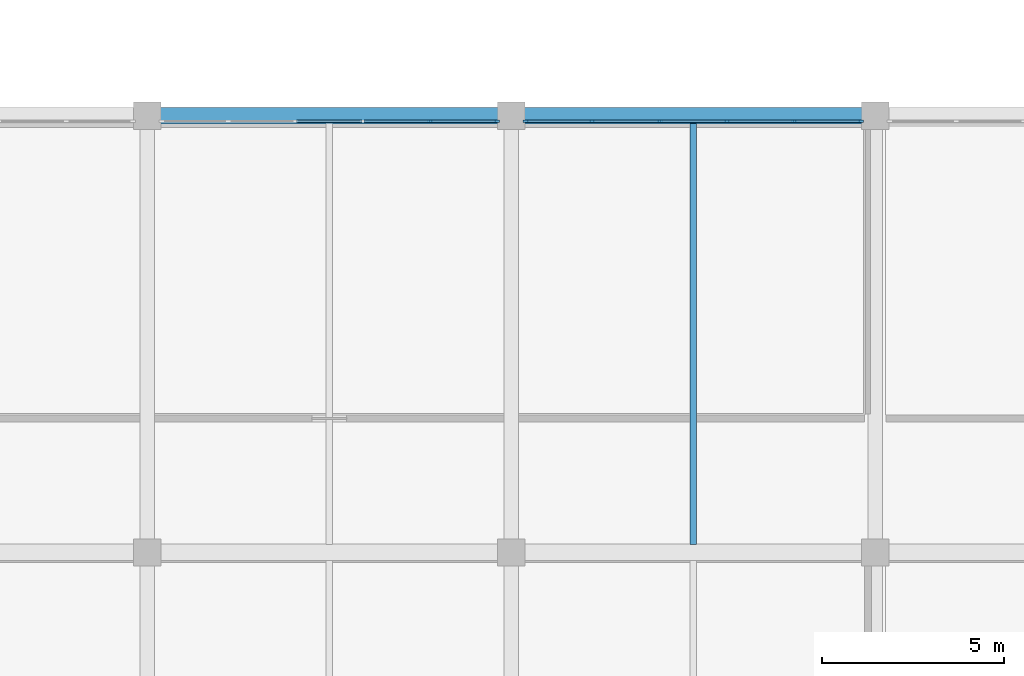
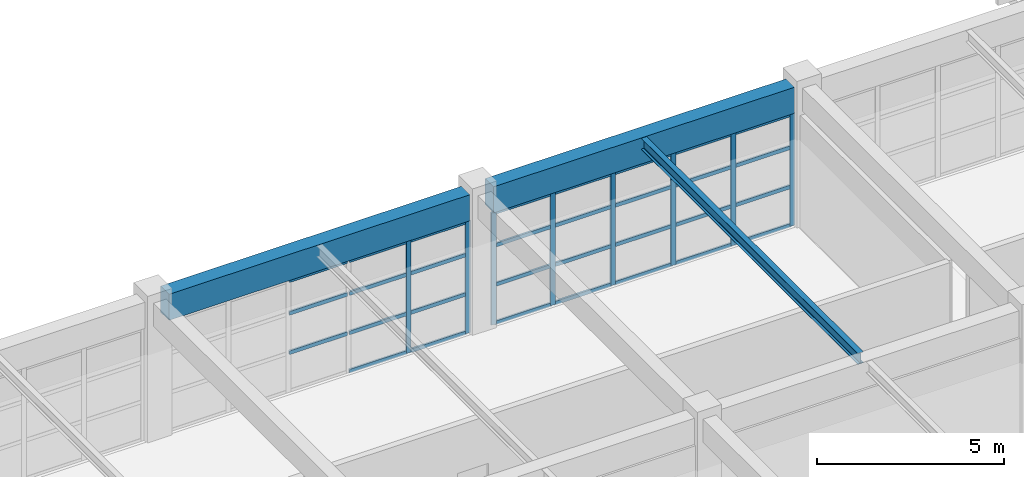
# One storey, part 51 of 109: 39 members, 3 beams, 2 elements without a shape of their own.
"""IFC4 building model written with IfcOpenShell, lengths in metres."""

from ifc_helpers import new_model, si_unit, direction, frame, origin, origin_2d, place, context, subcontext, project, spatial, rectangle, i_section, extrude, material, layer, layer_set, material_profile, profile_set, type_object, element, aggregate, save


model = new_model("IFC4")

# Units and contexts
model_context = context("Model", 3, precision=1e-05, world=origin(), true_north=direction((0.0, 1.0)))
body_context = subcontext(model_context, "Body", "Model", "MODEL_VIEW")
ifc_project = project(units=[si_unit("LENGTHUNIT", "METRE"), si_unit("AREAUNIT", "SQUARE_METRE"), si_unit("VOLUMEUNIT", "CUBIC_METRE"), si_unit("PLANEANGLEUNIT", "RADIAN"), si_unit("MASSUNIT", "GRAM", prefix="KILO")], contexts=[model_context])

# Site, building, storey
site_placement = place(None, origin())
site = spatial("IfcSite", under=ifc_project, at=site_placement, CompositionType="ELEMENT")
building_placement = place(site_placement, origin())
building = spatial("IfcBuilding", under=site, at=building_placement, Name="Kivolera Central Railway Station", CompositionType="ELEMENT")
storey_placement = place(building_placement, frame((0.0, 0.0, 9.60009765625)))
storey = spatial("IfcBuildingStorey", under=building, at=storey_placement, Name="L02", CompositionType="ELEMENT", Elevation=9.60009765625)

# Beams
ifc_material_1 = material(Name="Steel S355", Category="steel")
ifc_material_profile_1 = material_profile(ifc_material_1, i_section(OverallWidth=0.169921875, OverallDepth=0.360107421875, WebThickness=0.008056640625, FlangeThickness=0.0126953125, FilletRadius=0.01806640625, at=origin_2d()), Name="IPE 360")
ifc_profile_set_1 = profile_set([ifc_material_profile_1], Name="Steel S355")
beam_type_1 = type_object("IfcBeamType", Name="BM-JST-IPE360", PredefinedType="JOIST", material=ifc_profile_set_1)
beam_placement = place(storey_placement, frame((163.0, 66.217041015625, 4.327880859375), z_axis=(0.0, 1.0, 0.0), x_axis=(-1.0, 0.0, 0.0)))
element("IfcBeam", 1, at=beam_placement, inside=storey, type_object=beam_type_1, Name="L02 Floor Joist 16-17/F-G", PredefinedType="JOIST", context=body_context, shape_type="SweptSolid", body=[
    extrude(i_section(OverallWidth=0.169921875, OverallDepth=0.360107421875, WebThickness=0.008056640625, FlangeThickness=0.0126953125, FilletRadius=0.01806640625, at=origin_2d()), origin(), (0.0, 0.0, 1.0), 11.56591796875),
])
ifc_material_2 = material(Name="Concrete C40/50", Category="concrete")
ifc_material_profile_2 = material_profile(ifc_material_2, rectangle(XDim=0.449951171875, YDim=0.85009765625, at=origin_2d()), Name="RC 450x850")
ifc_profile_set_2 = profile_set([ifc_material_profile_2], Name="Concrete C40/50")
beam_type_2 = type_object("IfcBeamType", Name="BM-RC-450x850", PredefinedType="BEAM", material=ifc_profile_set_2)
for number, where, z_axis, x_axis, name in (
    (2, (148.366943359375, 78.0, 4.094970703125), (1.0, 0.0, 0.0), (0.0, 1.0, 0.0), "L02 Wing X-Beam G:15-16"),
    (3, (158.366943359375, 78.0, 4.094970703125), (1.0, 0.0, 0.0), (0.0, 1.0, 0.0), "L02 Wing X-Beam G:16-17"),
):
    element("IfcBeam", number, at=place(storey_placement, frame(where, z_axis=z_axis, x_axis=x_axis)), inside=storey, type_object=beam_type_2, Name=name, PredefinedType="BEAM", context=body_context, shape_type="SweptSolid", body=[
        extrude(rectangle(XDim=0.449951171875, YDim=0.85009765625, at=origin_2d()), origin(), (0.0, 0.0, 1.0), 9.26611328125),
    ])

# Curtain wall, members
ifc_material_3 = material(Name="Anodised aluminium", Category="aluminium")
ifc_layer = layer(ifc_material_3, 0.179931640625, Name="Anodised aluminium")
ifc_layer_set = layer_set([ifc_layer], Name="Anodised aluminium")
curtain_wall_type = type_object("IfcCurtainWallType", Name="CW-SYS-27", PredefinedType="NOTDEFINED", material=ifc_layer_set)
curtain_wall_1_placement = place(storey_placement, origin())
curtain_wall_1 = element("IfcCurtainWall", 4, at=curtain_wall_1_placement, inside=storey, type_object=curtain_wall_type, Name="L02 Curtain Wall CW-L02-CRTS-148", PredefinedType="NOTDEFINED")
ifc_material_profile_3 = material_profile(ifc_material_3, rectangle(XDim=0.06005859375, YDim=0.14990234375, at=origin_2d()), Name="ALU MULL 60x150")
ifc_profile_set_3 = profile_set([ifc_material_profile_3], Name="Anodised aluminium")
member_type_1 = type_object("IfcMemberType", Name="CWM-MUL-2", PredefinedType="MULLION", material=ifc_profile_set_3)
member_1_placement = place(storey_placement, frame((155.778076171875, 77.846923828125, -0.005126953125), z_axis=(0.0, 0.0, 1.0), x_axis=(0.0, 1.0, 0.0)))
member_1 = element("IfcMember", 5, at=member_1_placement, type_object=member_type_1, Name="CW-27 mullion 5", PredefinedType="MULLION", context=body_context, shape_type="SweptSolid", body=[
    extrude(rectangle(XDim=0.06005859375, YDim=0.14990234375, at=origin_2d()), origin(), (0.0, 0.0, 1.0), 3.6630859375),
])
member_2_placement = place(storey_placement, frame((157.60009765625, 77.846923828125, -0.005126953125), z_axis=(0.0, 0.0, 1.0), x_axis=(0.0, 1.0, 0.0)))
member_2 = element("IfcMember", 6, at=member_2_placement, type_object=member_type_1, Name="CW-27 mullion 6", PredefinedType="MULLION", context=body_context, shape_type="SweptSolid", body=[
    extrude(rectangle(XDim=0.06005859375, YDim=0.14990234375, at=origin_2d()), origin(), (0.0, 0.0, 1.0), 3.6630859375),
])

curtain_wall_2_placement = place(storey_placement, origin())
curtain_wall_2 = element("IfcCurtainWall", 7, at=curtain_wall_2_placement, inside=storey, type_object=curtain_wall_type, Name="L02 Curtain Wall CW-L02-CRTS-158", PredefinedType="NOTDEFINED")
member_3_placement = place(storey_placement, frame((158.39990234375, 77.846923828125, -0.005126953125), z_axis=(0.0, 0.0, 1.0), x_axis=(0.0, 1.0, 0.0)))
member_3 = element("IfcMember", 8, at=member_3_placement, type_object=member_type_1, Name="CW-27 mullion 1", PredefinedType="MULLION", context=body_context, shape_type="SweptSolid", body=[
    extrude(rectangle(XDim=0.06005859375, YDim=0.14990234375, at=origin_2d()), origin(), (0.0, 0.0, 1.0), 3.6630859375),
])
member_4_placement = place(storey_placement, frame((160.221923828125, 77.846923828125, -0.005126953125), z_axis=(0.0, 0.0, 1.0), x_axis=(0.0, 1.0, 0.0)))
member_4 = element("IfcMember", 9, at=member_4_placement, type_object=member_type_1, Name="CW-27 mullion 2", PredefinedType="MULLION", context=body_context, shape_type="SweptSolid", body=[
    extrude(rectangle(XDim=0.06005859375, YDim=0.14990234375, at=origin_2d()), origin(), (0.0, 0.0, 1.0), 3.6630859375),
])
member_5_placement = place(storey_placement, frame((162.073974609375, 77.846923828125, -0.005126953125), z_axis=(0.0, 0.0, 1.0), x_axis=(0.0, 1.0, 0.0)))
member_5 = element("IfcMember", 10, at=member_5_placement, type_object=member_type_1, Name="CW-27 mullion 3", PredefinedType="MULLION", context=body_context, shape_type="SweptSolid", body=[
    extrude(rectangle(XDim=0.06005859375, YDim=0.14990234375, at=origin_2d()), origin(), (0.0, 0.0, 1.0), 3.6630859375),
])
member_6_placement = place(storey_placement, frame((163.926025390625, 77.846923828125, -0.005126953125), z_axis=(0.0, 0.0, 1.0), x_axis=(0.0, 1.0, 0.0)))
member_6 = element("IfcMember", 11, at=member_6_placement, type_object=member_type_1, Name="CW-27 mullion 4", PredefinedType="MULLION", context=body_context, shape_type="SweptSolid", body=[
    extrude(rectangle(XDim=0.06005859375, YDim=0.14990234375, at=origin_2d()), origin(), (0.0, 0.0, 1.0), 3.6630859375),
])
member_7_placement = place(storey_placement, frame((165.778076171875, 77.846923828125, -0.005126953125), z_axis=(0.0, 0.0, 1.0), x_axis=(0.0, 1.0, 0.0)))
member_7 = element("IfcMember", 12, at=member_7_placement, type_object=member_type_1, Name="CW-27 mullion 5", PredefinedType="MULLION", context=body_context, shape_type="SweptSolid", body=[
    extrude(rectangle(XDim=0.06005859375, YDim=0.14990234375, at=origin_2d()), origin(), (0.0, 0.0, 1.0), 3.6630859375),
])
member_8_placement = place(storey_placement, frame((167.60009765625, 77.846923828125, -0.005126953125), z_axis=(0.0, 0.0, 1.0), x_axis=(0.0, 1.0, 0.0)))
member_8 = element("IfcMember", 13, at=member_8_placement, type_object=member_type_1, Name="CW-27 mullion 6", PredefinedType="MULLION", context=body_context, shape_type="SweptSolid", body=[
    extrude(rectangle(XDim=0.06005859375, YDim=0.14990234375, at=origin_2d()), origin(), (0.0, 0.0, 1.0), 3.6630859375),
])

# Member
ifc_material_profile_4 = material_profile(ifc_material_3, rectangle(XDim=0.06005859375, YDim=0.1201171875, at=origin_2d()), Name="ALU TRAN 60x120")
ifc_profile_set_4 = profile_set([ifc_material_profile_4], Name="Anodised aluminium")
member_type_2 = type_object("IfcMemberType", Name="CWM-TRN-2", PredefinedType="USERDEFINED", material=ifc_profile_set_4)
member_9_placement = place(storey_placement, frame((152.10400390625, 77.846923828125, 1.2802734375), z_axis=(1.0, 0.0, 0.0), x_axis=(0.0, 1.0, 0.0)))
member_9 = element("IfcMember", 14, at=member_9_placement, type_object=member_type_2, Name="CW-27 transom 3.2", ObjectType="TRANSOM", PredefinedType="USERDEFINED", context=body_context, shape_type="SweptSolid", body=[
    extrude(rectangle(XDim=0.06005859375, YDim=0.1201171875, at=origin_2d()), origin(), (0.0, 0.0, 1.0), 1.7919921875),
])

member_10_placement = place(storey_placement, frame((152.10400390625, 77.846923828125, 2.560546875), z_axis=(1.0, 0.0, 0.0), x_axis=(0.0, 1.0, 0.0)))
member_10 = element("IfcMember", 15, at=member_10_placement, type_object=member_type_2, Name="CW-27 transom 3.3", ObjectType="TRANSOM", PredefinedType="USERDEFINED", context=body_context, shape_type="SweptSolid", body=[
    extrude(rectangle(XDim=0.06005859375, YDim=0.1201171875, at=origin_2d()), origin(), (0.0, 0.0, 1.0), 1.7919921875),
])

member_11_placement = place(storey_placement, frame((152.10400390625, 77.846923828125, 3.6279296875), z_axis=(1.0, 0.0, 0.0), x_axis=(0.0, 1.0, 0.0)))
member_11 = element("IfcMember", 16, at=member_11_placement, type_object=member_type_2, Name="CW-27 transom 3.4", ObjectType="TRANSOM", PredefinedType="USERDEFINED", context=body_context, shape_type="SweptSolid", body=[
    extrude(rectangle(XDim=0.06005859375, YDim=0.1201171875, at=origin_2d()), origin(), (0.0, 0.0, 1.0), 1.7919921875),
])

member_12_placement = place(storey_placement, frame((153.9560546875, 77.846923828125, 0.02978515625), z_axis=(1.0, 0.0, 0.0), x_axis=(0.0, 1.0, 0.0)))
member_12 = element("IfcMember", 17, at=member_12_placement, type_object=member_type_2, Name="CW-27 transom 4.1", ObjectType="TRANSOM", PredefinedType="USERDEFINED", context=body_context, shape_type="SweptSolid", body=[
    extrude(rectangle(XDim=0.06005859375, YDim=0.1201171875, at=origin_2d()), origin(), (0.0, 0.0, 1.0), 1.7919921875),
])

member_13_placement = place(storey_placement, frame((153.9560546875, 77.846923828125, 1.2802734375), z_axis=(1.0, 0.0, 0.0), x_axis=(0.0, 1.0, 0.0)))
member_13 = element("IfcMember", 18, at=member_13_placement, type_object=member_type_2, Name="CW-27 transom 4.2", ObjectType="TRANSOM", PredefinedType="USERDEFINED", context=body_context, shape_type="SweptSolid", body=[
    extrude(rectangle(XDim=0.06005859375, YDim=0.1201171875, at=origin_2d()), origin(), (0.0, 0.0, 1.0), 1.7919921875),
])

member_14_placement = place(storey_placement, frame((153.9560546875, 77.846923828125, 2.560546875), z_axis=(1.0, 0.0, 0.0), x_axis=(0.0, 1.0, 0.0)))
member_14 = element("IfcMember", 19, at=member_14_placement, type_object=member_type_2, Name="CW-27 transom 4.3", ObjectType="TRANSOM", PredefinedType="USERDEFINED", context=body_context, shape_type="SweptSolid", body=[
    extrude(rectangle(XDim=0.06005859375, YDim=0.1201171875, at=origin_2d()), origin(), (0.0, 0.0, 1.0), 1.7919921875),
])

member_15_placement = place(storey_placement, frame((153.9560546875, 77.846923828125, 3.6279296875), z_axis=(1.0, 0.0, 0.0), x_axis=(0.0, 1.0, 0.0)))
member_15 = element("IfcMember", 20, at=member_15_placement, type_object=member_type_2, Name="CW-27 transom 4.4", ObjectType="TRANSOM", PredefinedType="USERDEFINED", context=body_context, shape_type="SweptSolid", body=[
    extrude(rectangle(XDim=0.06005859375, YDim=0.1201171875, at=origin_2d()), origin(), (0.0, 0.0, 1.0), 1.7919921875),
])

member_16_placement = place(storey_placement, frame((155.80810546875, 77.846923828125, 0.02978515625), z_axis=(1.0, 0.0, 0.0), x_axis=(0.0, 1.0, 0.0)))
member_16 = element("IfcMember", 21, at=member_16_placement, type_object=member_type_2, Name="CW-27 transom 5.1", ObjectType="TRANSOM", PredefinedType="USERDEFINED", context=body_context, shape_type="SweptSolid", body=[
    extrude(rectangle(XDim=0.06005859375, YDim=0.1201171875, at=origin_2d()), origin(), (0.0, 0.0, 1.0), 1.761962890625),
])

member_17_placement = place(storey_placement, frame((155.80810546875, 77.846923828125, 1.2802734375), z_axis=(1.0, 0.0, 0.0), x_axis=(0.0, 1.0, 0.0)))
member_17 = element("IfcMember", 22, at=member_17_placement, type_object=member_type_2, Name="CW-27 transom 5.2", ObjectType="TRANSOM", PredefinedType="USERDEFINED", context=body_context, shape_type="SweptSolid", body=[
    extrude(rectangle(XDim=0.06005859375, YDim=0.1201171875, at=origin_2d()), origin(), (0.0, 0.0, 1.0), 1.761962890625),
])

member_18_placement = place(storey_placement, frame((155.80810546875, 77.846923828125, 2.560546875), z_axis=(1.0, 0.0, 0.0), x_axis=(0.0, 1.0, 0.0)))
member_18 = element("IfcMember", 23, at=member_18_placement, type_object=member_type_2, Name="CW-27 transom 5.3", ObjectType="TRANSOM", PredefinedType="USERDEFINED", context=body_context, shape_type="SweptSolid", body=[
    extrude(rectangle(XDim=0.06005859375, YDim=0.1201171875, at=origin_2d()), origin(), (0.0, 0.0, 1.0), 1.761962890625),
])

member_19_placement = place(storey_placement, frame((155.80810546875, 77.846923828125, 3.6279296875), z_axis=(1.0, 0.0, 0.0), x_axis=(0.0, 1.0, 0.0)))
member_19 = element("IfcMember", 24, at=member_19_placement, type_object=member_type_2, Name="CW-27 transom 5.4", ObjectType="TRANSOM", PredefinedType="USERDEFINED", context=body_context, shape_type="SweptSolid", body=[
    extrude(rectangle(XDim=0.06005859375, YDim=0.1201171875, at=origin_2d()), origin(), (0.0, 0.0, 1.0), 1.761962890625),
])

aggregate(curtain_wall_1, [member_1, member_2, member_9, member_10, member_11, member_12, member_13, member_14, member_15, member_16, member_17, member_18, member_19])

member_20_placement = place(storey_placement, frame((158.429931640625, 77.846923828125, 0.02978515625), z_axis=(1.0, 0.0, 0.0), x_axis=(0.0, 1.0, 0.0)))
member_20 = element("IfcMember", 25, at=member_20_placement, type_object=member_type_2, Name="CW-27 transom 1.1", ObjectType="TRANSOM", PredefinedType="USERDEFINED", context=body_context, shape_type="SweptSolid", body=[
    extrude(rectangle(XDim=0.06005859375, YDim=0.1201171875, at=origin_2d()), origin(), (0.0, 0.0, 1.0), 1.761962890625),
])

member_21_placement = place(storey_placement, frame((158.429931640625, 77.846923828125, 1.2802734375), z_axis=(1.0, 0.0, 0.0), x_axis=(0.0, 1.0, 0.0)))
member_21 = element("IfcMember", 26, at=member_21_placement, type_object=member_type_2, Name="CW-27 transom 1.2", ObjectType="TRANSOM", PredefinedType="USERDEFINED", context=body_context, shape_type="SweptSolid", body=[
    extrude(rectangle(XDim=0.06005859375, YDim=0.1201171875, at=origin_2d()), origin(), (0.0, 0.0, 1.0), 1.761962890625),
])

member_22_placement = place(storey_placement, frame((158.429931640625, 77.846923828125, 2.560546875), z_axis=(1.0, 0.0, 0.0), x_axis=(0.0, 1.0, 0.0)))
member_22 = element("IfcMember", 27, at=member_22_placement, type_object=member_type_2, Name="CW-27 transom 1.3", ObjectType="TRANSOM", PredefinedType="USERDEFINED", context=body_context, shape_type="SweptSolid", body=[
    extrude(rectangle(XDim=0.06005859375, YDim=0.1201171875, at=origin_2d()), origin(), (0.0, 0.0, 1.0), 1.761962890625),
])

member_23_placement = place(storey_placement, frame((158.429931640625, 77.846923828125, 3.6279296875), z_axis=(1.0, 0.0, 0.0), x_axis=(0.0, 1.0, 0.0)))
member_23 = element("IfcMember", 28, at=member_23_placement, type_object=member_type_2, Name="CW-27 transom 1.4", ObjectType="TRANSOM", PredefinedType="USERDEFINED", context=body_context, shape_type="SweptSolid", body=[
    extrude(rectangle(XDim=0.06005859375, YDim=0.1201171875, at=origin_2d()), origin(), (0.0, 0.0, 1.0), 1.761962890625),
])

member_24_placement = place(storey_placement, frame((160.251953125, 77.846923828125, 0.02978515625), z_axis=(1.0, 0.0, 0.0), x_axis=(0.0, 1.0, 0.0)))
member_24 = element("IfcMember", 29, at=member_24_placement, type_object=member_type_2, Name="CW-27 transom 2.1", ObjectType="TRANSOM", PredefinedType="USERDEFINED", context=body_context, shape_type="SweptSolid", body=[
    extrude(rectangle(XDim=0.06005859375, YDim=0.1201171875, at=origin_2d()), origin(), (0.0, 0.0, 1.0), 1.7919921875),
])

member_25_placement = place(storey_placement, frame((160.251953125, 77.846923828125, 1.2802734375), z_axis=(1.0, 0.0, 0.0), x_axis=(0.0, 1.0, 0.0)))
member_25 = element("IfcMember", 30, at=member_25_placement, type_object=member_type_2, Name="CW-27 transom 2.2", ObjectType="TRANSOM", PredefinedType="USERDEFINED", context=body_context, shape_type="SweptSolid", body=[
    extrude(rectangle(XDim=0.06005859375, YDim=0.1201171875, at=origin_2d()), origin(), (0.0, 0.0, 1.0), 1.7919921875),
])

member_26_placement = place(storey_placement, frame((160.251953125, 77.846923828125, 2.560546875), z_axis=(1.0, 0.0, 0.0), x_axis=(0.0, 1.0, 0.0)))
member_26 = element("IfcMember", 31, at=member_26_placement, type_object=member_type_2, Name="CW-27 transom 2.3", ObjectType="TRANSOM", PredefinedType="USERDEFINED", context=body_context, shape_type="SweptSolid", body=[
    extrude(rectangle(XDim=0.06005859375, YDim=0.1201171875, at=origin_2d()), origin(), (0.0, 0.0, 1.0), 1.7919921875),
])

member_27_placement = place(storey_placement, frame((160.251953125, 77.846923828125, 3.6279296875), z_axis=(1.0, 0.0, 0.0), x_axis=(0.0, 1.0, 0.0)))
member_27 = element("IfcMember", 32, at=member_27_placement, type_object=member_type_2, Name="CW-27 transom 2.4", ObjectType="TRANSOM", PredefinedType="USERDEFINED", context=body_context, shape_type="SweptSolid", body=[
    extrude(rectangle(XDim=0.06005859375, YDim=0.1201171875, at=origin_2d()), origin(), (0.0, 0.0, 1.0), 1.7919921875),
])

member_28_placement = place(storey_placement, frame((162.10400390625, 77.846923828125, 0.02978515625), z_axis=(1.0, 0.0, 0.0), x_axis=(0.0, 1.0, 0.0)))
member_28 = element("IfcMember", 33, at=member_28_placement, type_object=member_type_2, Name="CW-27 transom 3.1", ObjectType="TRANSOM", PredefinedType="USERDEFINED", context=body_context, shape_type="SweptSolid", body=[
    extrude(rectangle(XDim=0.06005859375, YDim=0.1201171875, at=origin_2d()), origin(), (0.0, 0.0, 1.0), 1.7919921875),
])

member_29_placement = place(storey_placement, frame((162.10400390625, 77.846923828125, 1.2802734375), z_axis=(1.0, 0.0, 0.0), x_axis=(0.0, 1.0, 0.0)))
member_29 = element("IfcMember", 34, at=member_29_placement, type_object=member_type_2, Name="CW-27 transom 3.2", ObjectType="TRANSOM", PredefinedType="USERDEFINED", context=body_context, shape_type="SweptSolid", body=[
    extrude(rectangle(XDim=0.06005859375, YDim=0.1201171875, at=origin_2d()), origin(), (0.0, 0.0, 1.0), 1.7919921875),
])

member_30_placement = place(storey_placement, frame((162.10400390625, 77.846923828125, 2.560546875), z_axis=(1.0, 0.0, 0.0), x_axis=(0.0, 1.0, 0.0)))
member_30 = element("IfcMember", 35, at=member_30_placement, type_object=member_type_2, Name="CW-27 transom 3.3", ObjectType="TRANSOM", PredefinedType="USERDEFINED", context=body_context, shape_type="SweptSolid", body=[
    extrude(rectangle(XDim=0.06005859375, YDim=0.1201171875, at=origin_2d()), origin(), (0.0, 0.0, 1.0), 1.7919921875),
])

member_31_placement = place(storey_placement, frame((162.10400390625, 77.846923828125, 3.6279296875), z_axis=(1.0, 0.0, 0.0), x_axis=(0.0, 1.0, 0.0)))
member_31 = element("IfcMember", 36, at=member_31_placement, type_object=member_type_2, Name="CW-27 transom 3.4", ObjectType="TRANSOM", PredefinedType="USERDEFINED", context=body_context, shape_type="SweptSolid", body=[
    extrude(rectangle(XDim=0.06005859375, YDim=0.1201171875, at=origin_2d()), origin(), (0.0, 0.0, 1.0), 1.7919921875),
])

member_32_placement = place(storey_placement, frame((163.9560546875, 77.846923828125, 0.02978515625), z_axis=(1.0, 0.0, 0.0), x_axis=(0.0, 1.0, 0.0)))
member_32 = element("IfcMember", 37, at=member_32_placement, type_object=member_type_2, Name="CW-27 transom 4.1", ObjectType="TRANSOM", PredefinedType="USERDEFINED", context=body_context, shape_type="SweptSolid", body=[
    extrude(rectangle(XDim=0.06005859375, YDim=0.1201171875, at=origin_2d()), origin(), (0.0, 0.0, 1.0), 1.7919921875),
])

member_33_placement = place(storey_placement, frame((163.9560546875, 77.846923828125, 1.2802734375), z_axis=(1.0, 0.0, 0.0), x_axis=(0.0, 1.0, 0.0)))
member_33 = element("IfcMember", 38, at=member_33_placement, type_object=member_type_2, Name="CW-27 transom 4.2", ObjectType="TRANSOM", PredefinedType="USERDEFINED", context=body_context, shape_type="SweptSolid", body=[
    extrude(rectangle(XDim=0.06005859375, YDim=0.1201171875, at=origin_2d()), origin(), (0.0, 0.0, 1.0), 1.7919921875),
])

member_34_placement = place(storey_placement, frame((163.9560546875, 77.846923828125, 2.560546875), z_axis=(1.0, 0.0, 0.0), x_axis=(0.0, 1.0, 0.0)))
member_34 = element("IfcMember", 39, at=member_34_placement, type_object=member_type_2, Name="CW-27 transom 4.3", ObjectType="TRANSOM", PredefinedType="USERDEFINED", context=body_context, shape_type="SweptSolid", body=[
    extrude(rectangle(XDim=0.06005859375, YDim=0.1201171875, at=origin_2d()), origin(), (0.0, 0.0, 1.0), 1.7919921875),
])

member_35_placement = place(storey_placement, frame((163.9560546875, 77.846923828125, 3.6279296875), z_axis=(1.0, 0.0, 0.0), x_axis=(0.0, 1.0, 0.0)))
member_35 = element("IfcMember", 40, at=member_35_placement, type_object=member_type_2, Name="CW-27 transom 4.4", ObjectType="TRANSOM", PredefinedType="USERDEFINED", context=body_context, shape_type="SweptSolid", body=[
    extrude(rectangle(XDim=0.06005859375, YDim=0.1201171875, at=origin_2d()), origin(), (0.0, 0.0, 1.0), 1.7919921875),
])

member_36_placement = place(storey_placement, frame((165.80810546875, 77.846923828125, 0.02978515625), z_axis=(1.0, 0.0, 0.0), x_axis=(0.0, 1.0, 0.0)))
member_36 = element("IfcMember", 41, at=member_36_placement, type_object=member_type_2, Name="CW-27 transom 5.1", ObjectType="TRANSOM", PredefinedType="USERDEFINED", context=body_context, shape_type="SweptSolid", body=[
    extrude(rectangle(XDim=0.06005859375, YDim=0.1201171875, at=origin_2d()), origin(), (0.0, 0.0, 1.0), 1.761962890625),
])

member_37_placement = place(storey_placement, frame((165.80810546875, 77.846923828125, 1.2802734375), z_axis=(1.0, 0.0, 0.0), x_axis=(0.0, 1.0, 0.0)))
member_37 = element("IfcMember", 42, at=member_37_placement, type_object=member_type_2, Name="CW-27 transom 5.2", ObjectType="TRANSOM", PredefinedType="USERDEFINED", context=body_context, shape_type="SweptSolid", body=[
    extrude(rectangle(XDim=0.06005859375, YDim=0.1201171875, at=origin_2d()), origin(), (0.0, 0.0, 1.0), 1.761962890625),
])

member_38_placement = place(storey_placement, frame((165.80810546875, 77.846923828125, 2.560546875), z_axis=(1.0, 0.0, 0.0), x_axis=(0.0, 1.0, 0.0)))
member_38 = element("IfcMember", 43, at=member_38_placement, type_object=member_type_2, Name="CW-27 transom 5.3", ObjectType="TRANSOM", PredefinedType="USERDEFINED", context=body_context, shape_type="SweptSolid", body=[
    extrude(rectangle(XDim=0.06005859375, YDim=0.1201171875, at=origin_2d()), origin(), (0.0, 0.0, 1.0), 1.761962890625),
])

member_39_placement = place(storey_placement, frame((165.80810546875, 77.846923828125, 3.6279296875), z_axis=(1.0, 0.0, 0.0), x_axis=(0.0, 1.0, 0.0)))
member_39 = element("IfcMember", 44, at=member_39_placement, type_object=member_type_2, Name="CW-27 transom 5.4", ObjectType="TRANSOM", PredefinedType="USERDEFINED", context=body_context, shape_type="SweptSolid", body=[
    extrude(rectangle(XDim=0.06005859375, YDim=0.1201171875, at=origin_2d()), origin(), (0.0, 0.0, 1.0), 1.761962890625),
])

aggregate(curtain_wall_2, [member_3, member_4, member_5, member_6, member_7, member_8, member_20, member_21, member_22, member_23, member_24, member_25, member_26, member_27, member_28, member_29, member_30, member_31, member_32, member_33, member_34, member_35, member_36, member_37, member_38, member_39])

save(model, "model.ifc")
